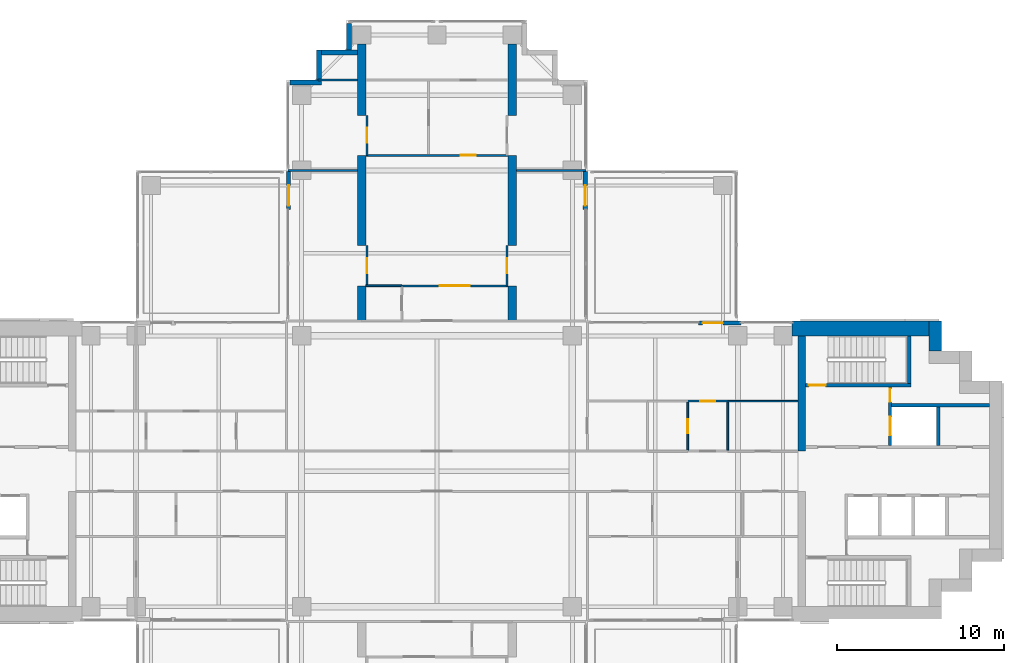
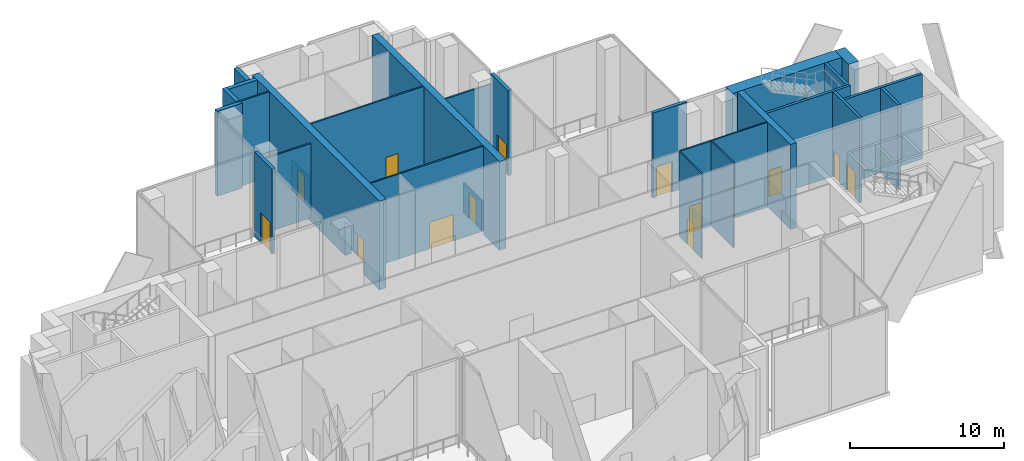
# One storey, part 12 of 17: 30 walls, 13 doors, 13 openings.
"""IFC4 building model written with IfcOpenShell, lengths in metres."""

from ifc_helpers import new_model, si_unit, direction, frame, frame_2d, origin, place, context, subcontext, project, spatial, polyline, rectangle, outline, extrude, material, layer, layer_set, material_profile, profile_set, type_object, element, fill, save


model = new_model("IFC4")

# Units and contexts
model_context = context("Model", 3, precision=1e-05, world=origin(), true_north=direction((0.0, 1.0)))
body_context = subcontext(model_context, "Body", "Model", "MODEL_VIEW")
ifc_project = project(units=[si_unit("LENGTHUNIT", "METRE"), si_unit("AREAUNIT", "SQUARE_METRE"), si_unit("VOLUMEUNIT", "CUBIC_METRE"), si_unit("PLANEANGLEUNIT", "RADIAN"), si_unit("MASSUNIT", "GRAM", prefix="KILO")], contexts=[model_context])

# Site, building, storey
site_placement = place(None, origin())
site = spatial("IfcSite", under=ifc_project, at=site_placement, CompositionType="ELEMENT")
building_placement = place(site_placement, origin())
building = spatial("IfcBuilding", under=site, at=building_placement, Name="Perihelion Cross Residences", CompositionType="ELEMENT")
storey_placement = place(building_placement, frame((0.0, 0.0, 154.89990234375)))
storey = spatial("IfcBuildingStorey", under=building, at=storey_placement, Name="L38", CompositionType="ELEMENT", Elevation=154.89990234375)

# Wall, opening, door
ifc_material_1 = material(Name="Concrete C30/37, bronze-clad", Category="concrete")
ifc_layer_1 = layer(ifc_material_1, 0.25)
ifc_layer_set_1 = layer_set([ifc_layer_1], Name="Bronze-clad pier wall 250")
wall_type_1 = type_object("IfcWallType", Name="Bronze-clad pier wall 250", PredefinedType="SOLIDWALL", material=ifc_layer_set_1)
wall_1_placement = place(storey_placement, frame((18.199951171875, 8.875, 0.0), z_axis=(0.0, 0.0, 1.0), x_axis=(-1.0, 0.0, 0.0)))
wall_1 = element("IfcWall", 1, at=wall_1_placement, inside=storey, type_object=wall_type_1, Name="Wall FW1 L38 east side north bay 2 pier", PredefinedType="SOLIDWALL", context=body_context, shape_type="SweptSolid", body=[
    extrude(rectangle(XDim=2.550048828125, YDim=0.25, at=frame_2d((1.27490234375, 0.0))), origin(), (0.0, 0.0, 1.0), 6.75),
])
opening_1_placement = place(wall_1_placement, frame((1.10009765625, 0.0, 0.0)))
opening_1 = element("IfcOpeningElement", 2, at=opening_1_placement, cuts=wall_1, Name="Opening L38.E01", PredefinedType="OPENING", context=body_context, shape_type="SweptSolid", body=[
    extrude(rectangle(XDim=1.199951171875, YDim=2.39990234375, at=frame_2d((0.60009765625, 1.199951171875))), frame((0.0, 0.135009765625, 0.0), z_axis=(0.0, -1.0, 0.0), x_axis=(1.0, 0.0, 0.0)), (0.0, 0.0, 1.0), 0.27001953125),
])
ifc_material_2 = material(Name="Bronze anodised aluminium, glazed", Category="aluminium")
door_type_1 = type_object("IfcDoorType", Name="Balcony door 1200 x 2400", OperationType="NOTDEFINED", PredefinedType="DOOR", material=ifc_material_2)
door_1_placement = place(opening_1_placement, origin())
door_1 = element("IfcDoor", 3, at=door_1_placement, inside=storey, type_object=door_type_1, Name="Door L38.E01 east side north bay 2", OperationType="SINGLE_SWING_RIGHT", OverallHeight=2.39990234375, OverallWidth=1.199951171875, PredefinedType="DOOR", context=body_context, shape_type="SweptSolid", body=[
    extrude(rectangle(XDim=1.199951171875, YDim=2.39990234375, at=frame_2d((0.60009765625, 1.199951171875))), frame((0.0, 0.02490234375, 0.0), z_axis=(0.0, -1.0, 0.0), x_axis=(1.0, 0.0, 0.0)), (0.0, 0.0, 1.0), 0.050048828125),
])
fill(opening_1, door_1)

wall_2_placement = place(storey_placement, frame((8.875, 15.64990234375, 0.0), z_axis=(0.0, 0.0, 1.0), x_axis=(0.0, 1.0, 0.0)))
wall_2 = element("IfcWall", 4, at=wall_2_placement, inside=storey, type_object=wall_type_1, Name="Wall FW1 L38 north side east bay 1 pier", PredefinedType="SOLIDWALL", context=body_context, shape_type="SweptSolid", body=[
    extrude(rectangle(XDim=2.2900390625, YDim=0.25, at=frame_2d((1.14501953125, 0.0))), origin(), (0.0, 0.0, 1.0), 6.75),
])
opening_2_placement = place(wall_2_placement, frame((0.25, 0.0, 0.0)))
opening_2 = element("IfcOpeningElement", 5, at=opening_2_placement, cuts=wall_2, Name="Opening L38.E02", PredefinedType="OPENING", context=body_context, shape_type="SweptSolid", body=[
    extrude(rectangle(XDim=1.199951171875, YDim=2.39990234375, at=frame_2d((0.60009765625, 1.199951171875))), frame((0.0, 0.135009765625, 0.0), z_axis=(0.0, -1.0, 0.0), x_axis=(1.0, 0.0, 0.0)), (0.0, 0.0, 1.0), 0.27001953125),
])
door_2_placement = place(opening_2_placement, origin())
door_2 = element("IfcDoor", 6, at=door_2_placement, inside=storey, type_object=door_type_1, Name="Door L38.E02 north side east bay 1", OperationType="SINGLE_SWING_LEFT", OverallHeight=2.39990234375, OverallWidth=1.199951171875, PredefinedType="DOOR", context=body_context, shape_type="SweptSolid", body=[
    extrude(rectangle(XDim=1.199951171875, YDim=2.39990234375, at=frame_2d((0.60009765625, 1.199951171875))), frame((0.0, 0.02490234375, 0.0), z_axis=(0.0, -1.0, 0.0), x_axis=(1.0, 0.0, 0.0)), (0.0, 0.0, 1.0), 0.050048828125),
])
fill(opening_2, door_2)

wall_3_placement = place(storey_placement, frame((-8.875, 17.93994140625, 0.0), z_axis=(0.0, 0.0, 1.0), x_axis=(0.0, -1.0, 0.0)))
wall_3 = element("IfcWall", 7, at=wall_3_placement, inside=storey, type_object=wall_type_1, Name="Wall FW1 L38 north side west bay 2 pier", PredefinedType="SOLIDWALL", context=body_context, shape_type="SweptSolid", body=[
    extrude(rectangle(XDim=2.2900390625, YDim=0.25, at=frame_2d((1.14501953125, 0.0))), origin(), (0.0, 0.0, 1.0), 6.75),
])
opening_3_placement = place(wall_3_placement, frame((0.840087890625, 0.0, 0.0)))
opening_3 = element("IfcOpeningElement", 8, at=opening_3_placement, cuts=wall_3, Name="Opening L38.E03", PredefinedType="OPENING", context=body_context, shape_type="SweptSolid", body=[
    extrude(rectangle(XDim=1.199951171875, YDim=2.39990234375, at=frame_2d((0.60009765625, 1.199951171875))), frame((0.0, 0.135009765625, 0.0), z_axis=(0.0, -1.0, 0.0), x_axis=(1.0, 0.0, 0.0)), (0.0, 0.0, 1.0), 0.27001953125),
])
door_3_placement = place(opening_3_placement, origin())
door_3 = element("IfcDoor", 9, at=door_3_placement, inside=storey, type_object=door_type_1, Name="Door L38.E03 north side west bay 2", OperationType="SINGLE_SWING_RIGHT", OverallHeight=2.39990234375, OverallWidth=1.199951171875, PredefinedType="DOOR", context=body_context, shape_type="SweptSolid", body=[
    extrude(rectangle(XDim=1.199951171875, YDim=2.39990234375, at=frame_2d((0.60009765625, 1.199951171875))), frame((0.0, 0.02490234375, 0.0), z_axis=(0.0, -1.0, 0.0), x_axis=(1.0, 0.0, 0.0)), (0.0, 0.0, 1.0), 0.050048828125),
])
fill(opening_3, door_3)

# Walls
ifc_material_3 = material(Name="Concrete C30/37, bronze-clad", Category="concrete")
ifc_layer_2 = layer(ifc_material_3, 0.300048828125)
ifc_layer_set_2 = layer_set([ifc_layer_2], Name="Bronze-clad serration wall 300")
wall_type_2 = type_object("IfcWallType", Name="Bronze-clad serration wall 300", PredefinedType="SOLIDWALL", material=ifc_layer_set_2)
wall_4_placement = place(storey_placement, frame((-5.25, 26.7900390625, 0.0), z_axis=(0.0, 0.0, 1.0), x_axis=(0.0, -1.0, 0.0)))
element("IfcWall", 10, at=wall_4_placement, inside=storey, type_object=wall_type_2, Name="Wall SR1 L38 north corner north-west 1", PredefinedType="SOLIDWALL", context=body_context, shape_type="SweptSolid", body=[
    extrude(rectangle(XDim=1.590087890625, YDim=0.300048828125, at=frame_2d((0.794921875, 0.0))), origin(), (0.0, 0.0, 1.0), 6.75),
])
wall_5_placement = place(storey_placement, frame((-4.75, 25.050048828125, 0.0), z_axis=(0.0, 0.0, 1.0), x_axis=(-1.0, 0.0, 0.0)))
element("IfcWall", 11, at=wall_5_placement, inside=storey, type_object=wall_type_2, Name="Wall SR1 L38 north corner north-west 2", PredefinedType="SOLIDWALL", context=body_context, shape_type="SweptSolid", body=[
    extrude(rectangle(XDim=2.14990234375, YDim=0.300048828125, at=frame_2d((1.074951171875, 0.0))), origin(), (0.0, 0.0, 1.0), 6.75),
])
wall_6_placement = place(storey_placement, frame((-7.050048828125, 25.199951171875, 0.0), z_axis=(0.0, 0.0, 1.0), x_axis=(0.0, -1.0, 0.0)))
element("IfcWall", 12, at=wall_6_placement, inside=storey, type_object=wall_type_2, Name="Wall SR1 L38 north corner north-west 3", PredefinedType="SOLIDWALL", context=body_context, shape_type="SweptSolid", body=[
    extrude(rectangle(XDim=1.800048828125, YDim=0.300048828125, at=frame_2d((0.89990234375, 0.0))), origin(), (0.0, 0.0, 1.0), 6.75),
])
wall_7_placement = place(storey_placement, frame((-6.89990234375, 23.25, 0.0), z_axis=(0.0, 0.0, 1.0), x_axis=(-1.0, 0.0, 0.0)))
element("IfcWall", 13, at=wall_7_placement, inside=storey, type_object=wall_type_2, Name="Wall SR1 L38 north corner north-west 4", PredefinedType="SOLIDWALL", context=body_context, shape_type="SweptSolid", body=[
    extrude(rectangle(XDim=1.89013671875, YDim=0.300048828125, at=frame_2d((0.945068359375, 0.0))), origin(), (0.0, 0.0, 1.0), 6.75),
])
ifc_material_4 = material(Name="Concrete C60/75", Category="concrete")
ifc_layer_3 = layer(ifc_material_4, 0.449951171875)
ifc_layer_set_3 = layer_set([ifc_layer_3], Name="Core wall, inner 450")
wall_type_3 = type_object("IfcWallType", Name="Core wall, inner 450", PredefinedType="SHEAR", material=ifc_layer_set_3)
wall_8_placement = place(storey_placement, frame((21.824951171875, 1.199951171875, 0.0), z_axis=(0.0, 0.0, 1.0), x_axis=(0.0, 1.0, 0.0)))
element("IfcWall", 14, at=wall_8_placement, inside=storey, type_object=wall_type_3, Name="East core core wall, inner", PredefinedType="SHEAR", context=body_context, shape_type="SweptSolid", body=[
    extrude(rectangle(XDim=6.900146484375, YDim=0.449951171875, at=frame_2d((3.4501953125, 0.0))), origin(), (0.0, 0.0, 1.0), 6.75),
])
ifc_material_5 = material(Name="Concrete C60/75", Category="concrete")
ifc_layer_4 = layer(ifc_material_5, 0.75)
ifc_layer_set_4 = layer_set([ifc_layer_4], Name="Core wall, outer 750")
wall_type_4 = type_object("IfcWallType", Name="Core wall, outer 750", PredefinedType="SHEAR", material=ifc_layer_set_4)
wall_9_placement = place(storey_placement, frame((29.824951171875, 7.199951171875, 0.0), z_axis=(0.0, 0.0, 1.0), x_axis=(0.0, 1.0, 0.0)))
element("IfcWall", 15, at=wall_9_placement, inside=storey, type_object=wall_type_4, Name="East core core wall, outer", PredefinedType="SHEAR", context=body_context, shape_type="SweptSolid", body=[
    extrude(rectangle(XDim=1.800048828125, YDim=0.75, at=frame_2d((0.89990234375, 0.0))), origin(), (0.0, 0.0, 1.0), 6.75),
])
ifc_material_6 = material(Name="Concrete C60/75", Category="concrete")
ifc_layer_5 = layer(ifc_material_6, 0.89990234375)
ifc_layer_set_5 = layer_set([ifc_layer_5], Name="Core wall, outer 900")
wall_type_5 = type_object("IfcWallType", Name="Core wall, outer 900", PredefinedType="SHEAR", material=ifc_layer_set_5)
wall_10_placement = place(storey_placement, frame((21.25, 8.550048828125, 0.0), z_axis=(0.0, 0.0, 1.0), x_axis=(1.0, 0.0, 0.0)))
element("IfcWall", 16, at=wall_10_placement, inside=storey, type_object=wall_type_5, Name="East core core wall, outer", PredefinedType="SHEAR", context=body_context, shape_type="SweptSolid", body=[
    extrude(rectangle(XDim=8.199951171875, YDim=0.89990234375, at=frame_2d((4.10009765625, 0.0))), origin(), (0.0, 0.0, 1.0), 6.75),
])

# Wall, opening, door
ifc_material_7 = material(Name="Plasterboard partition")
ifc_layer_6 = layer(ifc_material_7, 0.1201171875)
ifc_layer_set_6 = layer_set([ifc_layer_6], Name="Infill panel 120")
wall_type_6 = type_object("IfcWallType", Name="Infill panel 120", PredefinedType="PARTITIONING", material=ifc_layer_set_6)
wall_11_placement = place(storey_placement, frame((4.18994140625, 11.10009765625, 0.0), z_axis=(0.0, 0.0, 1.0), x_axis=(0.0, 1.0, 0.0)))
wall_11 = element("IfcWall", 17, at=wall_11_placement, inside=storey, type_object=wall_type_6, Name="Partition L38 WI01", PredefinedType="PARTITIONING", context=body_context, shape_type="SweptSolid", body=[
    extrude(rectangle(XDim=2.39990234375, YDim=0.1201171875, at=frame_2d((1.199951171875, 0.0))), origin(), (0.0, 0.0, 1.0), 2.400146484375),
])
opening_4_placement = place(wall_11_placement, frame((0.75, 0.0, 0.0)))
opening_4 = element("IfcOpeningElement", 18, at=opening_4_placement, cuts=wall_11, Name="Opening L38.A34", PredefinedType="OPENING", context=body_context, shape_type="SweptSolid", body=[
    extrude(rectangle(XDim=0.89990234375, YDim=2.10009765625, at=frame_2d((0.449951171875, 1.050048828125))), frame((0.0, 0.070068359375, 0.0), z_axis=(0.0, -1.0, 0.0), x_axis=(1.0, 0.0, 0.0)), (0.0, 0.0, 1.0), 0.14013671875),
])
ifc_material_8 = material(Name="Timber door leaf", Category="wood")
door_type_2 = type_object("IfcDoorType", Name="Interior room door 900 x 2100", OperationType="SINGLE_SWING_LEFT", PredefinedType="DOOR", material=ifc_material_8)
door_4_placement = place(opening_4_placement, origin())
door_4 = element("IfcDoor", 19, at=door_4_placement, inside=storey, type_object=door_type_2, Name="Door L38.A34", OperationType="SINGLE_SWING_RIGHT", OverallHeight=2.10009765625, OverallWidth=0.89990234375, PredefinedType="DOOR", context=body_context, shape_type="SweptSolid", body=[
    extrude(rectangle(XDim=0.89990234375, YDim=2.10009765625, at=frame_2d((0.449951171875, 1.050048828125))), frame((0.0, 0.02490234375, 0.0), z_axis=(0.0, -1.0, 0.0), x_axis=(1.0, 0.0, 0.0)), (0.0, 0.0, 1.0), 0.050048828125),
])
fill(opening_4, door_4)

wall_12_placement = place(storey_placement, frame((-4.18994140625, 11.10009765625, 0.0), z_axis=(0.0, 0.0, 1.0), x_axis=(0.0, 1.0, 0.0)))
wall_12 = element("IfcWall", 20, at=wall_12_placement, inside=storey, type_object=wall_type_6, Name="Partition L38 WI03", PredefinedType="PARTITIONING", context=body_context, shape_type="SweptSolid", body=[
    extrude(rectangle(XDim=2.39990234375, YDim=0.1201171875, at=frame_2d((1.199951171875, 0.0))), origin(), (0.0, 0.0, 1.0), 2.400146484375),
])
opening_5_placement = place(wall_12_placement, frame((0.75, 0.0, 0.0)))
opening_5 = element("IfcOpeningElement", 21, at=opening_5_placement, cuts=wall_12, Name="Opening L38.A36", PredefinedType="OPENING", context=body_context, shape_type="SweptSolid", body=[
    extrude(rectangle(XDim=0.89990234375, YDim=2.10009765625, at=frame_2d((0.449951171875, 1.050048828125))), frame((0.0, 0.070068359375, 0.0), z_axis=(0.0, -1.0, 0.0), x_axis=(1.0, 0.0, 0.0)), (0.0, 0.0, 1.0), 0.14013671875),
])
door_5_placement = place(opening_5_placement, origin())
door_5 = element("IfcDoor", 22, at=door_5_placement, inside=storey, type_object=door_type_2, Name="Door L38.A36", OperationType="SINGLE_SWING_LEFT", OverallHeight=2.10009765625, OverallWidth=0.89990234375, PredefinedType="DOOR", context=body_context, shape_type="SweptSolid", body=[
    extrude(rectangle(XDim=0.89990234375, YDim=2.10009765625, at=frame_2d((0.449951171875, 1.050048828125))), frame((0.0, 0.02490234375, 0.0), z_axis=(0.0, -1.0, 0.0), x_axis=(1.0, 0.0, 0.0)), (0.0, 0.0, 1.0), 0.050048828125),
])
fill(opening_5, door_5)

wall_13_placement = place(storey_placement, frame((-4.18994140625, 18.89990234375, 0.0), z_axis=(0.0, 0.0, 1.0), x_axis=(0.0, 1.0, 0.0)))
wall_13 = element("IfcWall", 23, at=wall_13_placement, inside=storey, type_object=wall_type_6, Name="Partition L38 WI04", PredefinedType="PARTITIONING", context=body_context, shape_type="SweptSolid", body=[
    extrude(rectangle(XDim=2.400146484375, YDim=0.1201171875, at=frame_2d((1.2001953125, 0.0))), origin(), (0.0, 0.0, 1.0), 2.400146484375),
])
opening_6_placement = place(wall_13_placement, frame((0.75, 0.0, 0.0)))
opening_6 = element("IfcOpeningElement", 24, at=opening_6_placement, cuts=wall_13, Name="Opening L38.A37", PredefinedType="OPENING", context=body_context, shape_type="SweptSolid", body=[
    extrude(rectangle(XDim=0.89990234375, YDim=2.10009765625, at=frame_2d((0.449951171875, 1.050048828125))), frame((0.0, 0.070068359375, 0.0), z_axis=(0.0, -1.0, 0.0), x_axis=(1.0, 0.0, 0.0)), (0.0, 0.0, 1.0), 0.14013671875),
])
door_6_placement = place(opening_6_placement, origin())
door_6 = element("IfcDoor", 25, at=door_6_placement, inside=storey, type_object=door_type_2, Name="Door L38.A37", OperationType="SINGLE_SWING_RIGHT", OverallHeight=2.10009765625, OverallWidth=0.89990234375, PredefinedType="DOOR", context=body_context, shape_type="SweptSolid", body=[
    extrude(rectangle(XDim=0.89990234375, YDim=2.10009765625, at=frame_2d((0.449951171875, 1.050048828125))), frame((0.0, 0.02490234375, 0.0), z_axis=(0.0, -1.0, 0.0), x_axis=(1.0, 0.0, 0.0)), (0.0, 0.0, 1.0), 0.050048828125),
])
fill(opening_6, door_6)

ifc_material_9 = material(Name="Plasterboard partition")
ifc_layer_7 = layer(ifc_material_9, 0.1201171875)
ifc_layer_set_7 = layer_set([ifc_layer_7], Name="Partition wall 120")
wall_type_7 = type_object("IfcWallType", Name="Partition wall 120", PredefinedType="PARTITIONING", material=ifc_layer_set_7)
wall_14_placement = place(storey_placement, frame((17.39990234375, 4.199951171875, 0.0), z_axis=(0.0, 0.0, 1.0), x_axis=(-1.0, 0.0, 0.0)))
wall_14 = element("IfcWall", 26, at=wall_14_placement, inside=storey, type_object=wall_type_7, Name="Partition L38 W020", PredefinedType="PARTITIONING", context=body_context, shape_type="SweptSolid", body=[
    extrude(rectangle(XDim=2.39990234375, YDim=0.1201171875, at=frame_2d((1.199951171875, 0.0))), origin(), (0.0, 0.0, 1.0), 6.75),
])
opening_7_placement = place(wall_14_placement, frame((0.75, 0.0, 0.0)))
opening_7 = element("IfcOpeningElement", 27, at=opening_7_placement, cuts=wall_14, Name="Opening L38.A12", PredefinedType="OPENING", context=body_context, shape_type="SweptSolid", body=[
    extrude(rectangle(XDim=0.89990234375, YDim=2.10009765625, at=frame_2d((0.449951171875, 1.050048828125))), frame((0.0, 0.070068359375, 0.0), z_axis=(0.0, -1.0, 0.0), x_axis=(1.0, 0.0, 0.0)), (0.0, 0.0, 1.0), 0.14013671875),
])
door_7_placement = place(opening_7_placement, origin())
door_7 = element("IfcDoor", 28, at=door_7_placement, inside=storey, type_object=door_type_2, Name="Door L38.A12", OperationType="SINGLE_SWING_LEFT", OverallHeight=2.10009765625, OverallWidth=0.89990234375, PredefinedType="DOOR", context=body_context, shape_type="SweptSolid", body=[
    extrude(rectangle(XDim=0.89990234375, YDim=2.10009765625, at=frame_2d((0.449951171875, 1.050048828125))), frame((0.0, 0.02490234375, 0.0), z_axis=(0.0, -1.0, 0.0), x_axis=(1.0, 0.0, 0.0)), (0.0, 0.0, 1.0), 0.050048828125),
])
fill(opening_7, door_7)

wall_15_placement = place(storey_placement, frame((-2.10009765625, 11.10009765625, 0.0), z_axis=(0.0, 0.0, 1.0), x_axis=(1.0, 0.0, 0.0)))
wall_15 = element("IfcWall", 29, at=wall_15_placement, inside=storey, type_object=wall_type_7, Name="Partition L38 W040", PredefinedType="PARTITIONING", context=body_context, shape_type="SweptSolid", body=[
    extrude(rectangle(XDim=6.35009765625, YDim=0.1201171875, at=frame_2d((3.175048828125, 0.0))), origin(), (0.0, 0.0, 1.0), 6.75),
])
opening_8_placement = place(wall_15_placement, frame((2.27490234375, 0.0, 0.0)))
opening_8 = element("IfcOpeningElement", 30, at=opening_8_placement, cuts=wall_15, Name="Opening L38.A25", PredefinedType="OPENING", context=body_context, shape_type="SweptSolid", body=[
    extrude(rectangle(XDim=1.800048828125, YDim=2.10009765625, at=frame_2d((0.89990234375, 1.050048828125))), frame((0.0, 0.070068359375, 0.0), z_axis=(0.0, -1.0, 0.0), x_axis=(1.0, 0.0, 0.0)), (0.0, 0.0, 1.0), 0.14013671875),
])
ifc_material_10 = material(Name="Glazed timber door leaf", Category="wood")
door_type_3 = type_object("IfcDoorType", Name="Interior double leaf door 1800 x 2100", OperationType="DOUBLE_DOOR_SINGLE_SWING", PredefinedType="DOOR", material=ifc_material_10)
door_8_placement = place(opening_8_placement, origin())
door_8 = element("IfcDoor", 31, at=door_8_placement, inside=storey, type_object=door_type_3, Name="Door L38.A25", OperationType="SINGLE_SWING_LEFT", OverallHeight=2.10009765625, OverallWidth=1.800048828125, PredefinedType="DOOR", context=body_context, shape_type="SweptSolid", body=[
    extrude(rectangle(XDim=1.800048828125, YDim=2.10009765625, at=frame_2d((0.89990234375, 1.050048828125))), frame((0.0, 0.02490234375, 0.0), z_axis=(0.0, -1.0, 0.0), x_axis=(1.0, 0.0, 0.0)), (0.0, 0.0, 1.0), 0.050048828125),
])
fill(opening_8, door_8)

wall_16_placement = place(storey_placement, frame((-4.25, 18.89990234375, 0.0), z_axis=(0.0, 0.0, 1.0), x_axis=(1.0, 0.0, 0.0)))
wall_16 = element("IfcWall", 32, at=wall_16_placement, inside=storey, type_object=wall_type_7, Name="Partition L38 W042", PredefinedType="PARTITIONING", context=body_context, shape_type="SweptSolid", body=[
    extrude(rectangle(XDim=8.5, YDim=0.1201171875, at=frame_2d((4.25, 0.0))), origin(), (0.0, 0.0, 1.0), 6.75),
])
opening_9_placement = place(wall_16_placement, frame((5.675048828125, 0.0, 0.0)))
opening_9 = element("IfcOpeningElement", 33, at=opening_9_placement, cuts=wall_16, Name="Opening L38.A26", PredefinedType="OPENING", context=body_context, shape_type="SweptSolid", body=[
    extrude(rectangle(XDim=0.89990234375, YDim=2.10009765625, at=frame_2d((0.449951171875, 1.050048828125))), frame((0.0, 0.070068359375, 0.0), z_axis=(0.0, -1.0, 0.0), x_axis=(1.0, 0.0, 0.0)), (0.0, 0.0, 1.0), 0.14013671875),
])
door_9_placement = place(opening_9_placement, origin())
door_9 = element("IfcDoor", 34, at=door_9_placement, inside=storey, type_object=door_type_2, Name="Door L38.A26", OperationType="SINGLE_SWING_LEFT", OverallHeight=2.10009765625, OverallWidth=0.89990234375, PredefinedType="DOOR", context=body_context, shape_type="SweptSolid", body=[
    extrude(rectangle(XDim=0.89990234375, YDim=2.10009765625, at=frame_2d((0.449951171875, 1.050048828125))), frame((0.0, 0.02490234375, 0.0), z_axis=(0.0, -1.0, 0.0), x_axis=(1.0, 0.0, 0.0)), (0.0, 0.0, 1.0), 0.050048828125),
])
fill(opening_9, door_9)

# Walls
for number, where, z_axis, x_axis, name in (
    (35, (4.75, 18.0, 0.0), (0.0, 0.0, 1.0), (1.0, 0.0, 0.0), "Partition L38 W045"),
    (36, (-8.919921875, 18.0, 0.0), (0.0, 0.0, 1.0), (1.0, 0.0, 0.0), "Partition L38 W047"),
):
    element("IfcWall", number, at=place(storey_placement, frame(where, z_axis=z_axis, x_axis=x_axis)), inside=storey, type_object=wall_type_7, Name=name, PredefinedType="PARTITIONING", context=body_context, shape_type="SweptSolid", body=[
        extrude(rectangle(XDim=4.169921875, YDim=0.1201171875, at=frame_2d((2.0849609375, 0.0))), origin(), (0.0, 0.0, 1.0), 5.9140625),
    ])
wall_17_placement = place(storey_placement, frame((-7.1201171875, 23.39990234375, 0.0), z_axis=(0.0, 0.0, 1.0), x_axis=(1.0, 0.0, 0.0)))
element("IfcWall", 37, at=wall_17_placement, inside=storey, type_object=wall_type_7, Name="Partition L38 W048", PredefinedType="PARTITIONING", context=body_context, shape_type="SweptSolid", body=[
    extrude(rectangle(XDim=2.3701171875, YDim=0.1201171875, at=frame_2d((1.18505859375, 0.0))), origin(), (0.0, 0.0, 1.0), 6.75),
])
ifc_material_11 = material(Name="Concrete C50/60", Category="concrete")
ifc_layer_8 = layer(ifc_material_11, 0.199951171875)
ifc_layer_set_8 = layer_set([ifc_layer_8], Name="Shaft wall 200")
wall_type_8 = type_object("IfcWallType", Name="Shaft wall 200", PredefinedType="SOLIDWALL", material=ifc_layer_set_8)
wall_18_placement = place(storey_placement, frame((27.199951171875, 3.949951171875, 0.0), z_axis=(0.0, 0.0, 1.0), x_axis=(1.0, 0.0, 0.0)))
element("IfcWall", 38, at=wall_18_placement, inside=storey, type_object=wall_type_8, Name="East core shaft wall", PredefinedType="SOLIDWALL", context=body_context, shape_type="SweptSolid", body=[
    extrude(rectangle(XDim=5.85009765625, YDim=0.199951171875, at=frame_2d((2.925048828125, 0.0))), origin(), (0.0, 0.0, 1.0), 6.75),
])

# Wall, openings, doors
wall_19_placement = place(storey_placement, frame((27.10009765625, 1.550048828125, 0.0), z_axis=(0.0, 0.0, 1.0), x_axis=(0.0, 1.0, 0.0)))
wall_19 = element("IfcWall", 39, at=wall_19_placement, inside=storey, type_object=wall_type_8, Name="East core shaft wall", PredefinedType="SOLIDWALL", context=body_context, shape_type="SweptSolid", body=[
    extrude(rectangle(XDim=3.5, YDim=0.199951171875, at=frame_2d((1.75, 0.0))), origin(), (0.0, 0.0, 1.0), 6.75),
])
opening_10_placement = place(wall_19_placement, frame((0.60009765625, 0.0, 0.0)))
opening_10 = element("IfcOpeningElement", 40, at=opening_10_placement, cuts=wall_19, Name="Opening L38.C02", PredefinedType="OPENING", context=body_context, shape_type="SweptSolid", body=[
    extrude(rectangle(XDim=1.10009765625, YDim=2.10009765625, at=frame_2d((0.550048828125, 1.050048828125))), frame((0.0, 0.10986328125, 0.0), z_axis=(0.0, -1.0, 0.0), x_axis=(1.0, 0.0, 0.0)), (0.0, 0.0, 1.0), 0.219970703125),
])
opening_11_placement = place(wall_19_placement, frame((2.60009765625, 0.0, 0.0)))
opening_11 = element("IfcOpeningElement", 41, at=opening_11_placement, cuts=wall_19, Name="Opening L38.C10", PredefinedType="OPENING", context=body_context, shape_type="SweptSolid", body=[
    extrude(rectangle(XDim=0.800048828125, YDim=2.10009765625, at=frame_2d((0.39990234375, 1.050048828125))), frame((0.0, 0.10986328125, 0.0), z_axis=(0.0, -1.0, 0.0), x_axis=(1.0, 0.0, 0.0)), (0.0, 0.0, 1.0), 0.219970703125),
])
ifc_material_12 = material(Name="Stainless steel", Category="steel")
door_type_4 = type_object("IfcDoorType", Name="Landing door, firefighting lift 1100", OperationType="DOUBLE_DOOR_SLIDING", PredefinedType="DOOR", material=ifc_material_12)
door_10_placement = place(opening_10_placement, origin())
door_10 = element("IfcDoor", 42, at=door_10_placement, inside=storey, type_object=door_type_4, Name="Landing door, East core firefighting and service lift", OperationType="DOUBLE_DOOR_SLIDING", OverallHeight=2.10009765625, OverallWidth=1.10009765625, PredefinedType="DOOR", context=body_context, shape_type="SweptSolid", body=[
    extrude(rectangle(XDim=1.10009765625, YDim=2.10009765625, at=frame_2d((0.550048828125, 1.050048828125))), frame((0.0, 0.02490234375, 0.0), z_axis=(0.0, -1.0, 0.0), x_axis=(1.0, 0.0, 0.0)), (0.0, 0.0, 1.0), 0.050048828125),
])
fill(opening_10, door_10)
ifc_material_13 = material(Name="Steel, powder coated", Category="steel")
door_type_5 = type_object("IfcDoorType", Name="Riser door 800", OperationType="SINGLE_SWING_LEFT", PredefinedType="DOOR", material=ifc_material_13)
door_11_placement = place(opening_11_placement, origin())
door_11 = element("IfcDoor", 43, at=door_11_placement, inside=storey, type_object=door_type_5, Name="East core riser door", OperationType="SINGLE_SWING_LEFT", OverallHeight=2.10009765625, OverallWidth=0.800048828125, PredefinedType="DOOR", context=body_context, shape_type="SweptSolid", body=[
    extrude(rectangle(XDim=0.800048828125, YDim=2.10009765625, at=frame_2d((0.39990234375, 1.050048828125))), frame((0.0, 0.02490234375, 0.0), z_axis=(0.0, -1.0, 0.0), x_axis=(1.0, 0.0, 0.0)), (0.0, 0.0, 1.0), 0.050048828125),
])
fill(opening_11, door_11)

# Wall
wall_20_placement = place(storey_placement, frame((30.0, 1.550048828125, 0.0), z_axis=(0.0, 0.0, 1.0), x_axis=(0.0, 1.0, 0.0)))
element("IfcWall", 44, at=wall_20_placement, inside=storey, type_object=wall_type_8, Name="East core shaft wall", PredefinedType="SOLIDWALL", context=body_context, shape_type="SweptSolid", body=[
    extrude(rectangle(XDim=2.300048828125, YDim=0.199951171875, at=frame_2d((1.14990234375, 0.0))), origin(), (0.0, 0.0, 1.0), 6.75),
])

# Wall, opening, door
ifc_material_14 = material(Name="Concrete C50/60", Category="concrete")
ifc_layer_9 = layer(ifc_material_14, 0.199951171875)
ifc_layer_set_9 = layer_set([ifc_layer_9], Name="Stair wall 200")
wall_type_9 = type_object("IfcWallType", Name="Stair wall 200", PredefinedType="SOLIDWALL", material=ifc_layer_set_9)
wall_21_placement = place(storey_placement, frame((22.050048828125, 5.14990234375, 0.0), z_axis=(0.0, 0.0, 1.0), x_axis=(1.0, 0.0, 0.0)))
wall_21 = element("IfcWall", 45, at=wall_21_placement, inside=storey, type_object=wall_type_9, Name="East core stair wall", PredefinedType="SOLIDWALL", context=body_context, shape_type="SweptSolid", body=[
    extrude(rectangle(XDim=6.300048828125, YDim=0.199951171875, at=frame_2d((3.14990234375, 0.0))), origin(), (0.0, 0.0, 1.0), 6.75),
])
opening_12_placement = place(wall_21_placement, frame((0.199951171875, 0.0, 0.0)))
opening_12 = element("IfcOpeningElement", 46, at=opening_12_placement, cuts=wall_21, Name="Opening L38.C06", PredefinedType="OPENING", context=body_context, shape_type="SweptSolid", body=[
    extrude(rectangle(XDim=1.0, YDim=2.10009765625, at=frame_2d((0.5, 1.050048828125))), frame((0.0, 0.10986328125, 0.0), z_axis=(0.0, -1.0, 0.0), x_axis=(1.0, 0.0, 0.0)), (0.0, 0.0, 1.0), 0.219970703125),
])
ifc_material_15 = material(Name="Steel, powder coated", Category="steel")
door_type_6 = type_object("IfcDoorType", Name="Stair door 1000", OperationType="SINGLE_SWING_LEFT", PredefinedType="DOOR", material=ifc_material_15)
door_12_placement = place(opening_12_placement, origin())
door_12 = element("IfcDoor", 47, at=door_12_placement, inside=storey, type_object=door_type_6, Name="East core stair door", OperationType="SINGLE_SWING_LEFT", OverallHeight=2.10009765625, OverallWidth=1.0, PredefinedType="DOOR", context=body_context, shape_type="SweptSolid", body=[
    extrude(rectangle(XDim=1.0, YDim=2.10009765625, at=frame_2d((0.5, 1.050048828125))), frame((0.0, 0.02490234375, 0.0), z_axis=(0.0, -1.0, 0.0), x_axis=(1.0, 0.0, 0.0)), (0.0, 0.0, 1.0), 0.050048828125),
])
fill(opening_12, door_12)

# Walls
wall_22_placement = place(storey_placement, frame((28.25, 5.25, 0.0), z_axis=(0.0, 0.0, 1.0), x_axis=(0.0, 1.0, 0.0)))
element("IfcWall", 48, at=wall_22_placement, inside=storey, type_object=wall_type_9, Name="East core stair wall", PredefinedType="SOLIDWALL", context=body_context, shape_type="SweptSolid", body=[
    extrude(rectangle(XDim=2.85009765625, YDim=0.199951171875, at=frame_2d((1.425048828125, 0.0))), origin(), (0.0, 0.0, 1.0), 6.75),
])
ifc_material_16 = material(Name="Concrete C60/75", Category="concrete")
ifc_material_profile = material_profile(ifc_material_16, outline(polyline([(0.0, 0.0), (2.10009765625, 0.0), (2.10009765625, 2.699951171875), (4.5, 2.699951171875), (4.5, 0.0), (9.89990234375, 0.0), (9.89990234375, 2.699951171875), (12.300048828125, 2.699951171875), (12.300048828125, 0.0), (16.550048828125, 0.0), (16.550048828125, 7.050048828125), (0.0, 7.050048828125), (0.0, 0.0)])), Name="Tip spine wall")
ifc_profile_set = profile_set([ifc_material_profile], Name="Concrete C60/75")
wall_type_10 = type_object("IfcWallType", Name="Tip spine wall 500 with 2 door openings 16550 long 7050 high concrete C60/75", PredefinedType="SHEAR", material=ifc_profile_set)
for number, where, z_axis, x_axis, name in (
    (49, (-4.75, 9.0, -0.2998046875), (1.0, 0.0, 0.0), (0.0, 1.0, 0.0), "Shear wall SW38 L38 north west"),
    (50, (4.25, 9.0, -0.2998046875), (1.0, 0.0, 0.0), (0.0, 1.0, 0.0), "Shear wall SW38 L38 north east"),
):
    element("IfcWall", number, at=place(storey_placement, frame(where, z_axis=z_axis, x_axis=x_axis)), inside=storey, type_object=wall_type_10, Name=name, PredefinedType="SHEAR", context=body_context, shape_type="SweptSolid", body=[
        extrude(outline(polyline([(0.0, 0.0), (2.10009765625, 0.0), (2.10009765625, 2.699951171875), (4.5, 2.699951171875), (4.5, 0.0), (9.89990234375, 0.0), (9.89990234375, 2.699951171875), (12.300048828125, 2.699951171875), (12.300048828125, 0.0), (16.550048828125, 0.0), (16.550048828125, 7.050048828125), (0.0, 7.050048828125), (0.0, 0.0)])), origin(), (0.0, 0.0, 1.0), 0.5),
    ])
ifc_material_17 = material(Name="Plasterboard partition")
ifc_layer_10 = layer(ifc_material_17, 0.10009765625)
ifc_layer_set_10 = layer_set([ifc_layer_10], Name="Wet room wall 100")
wall_type_11 = type_object("IfcWallType", Name="Wet room wall 100", PredefinedType="PARTITIONING", material=ifc_layer_set_10)
wall_23_placement = place(storey_placement, frame((21.60009765625, 4.199951171875, 0.0), z_axis=(0.0, 0.0, 1.0), x_axis=(-1.0, 0.0, 0.0)))
element("IfcWall", 51, at=wall_23_placement, inside=storey, type_object=wall_type_11, Name="Partition L38 W021", PredefinedType="PARTITIONING", context=body_context, shape_type="SweptSolid", body=[
    extrude(rectangle(XDim=4.2001953125, YDim=0.10009765625, at=frame_2d((2.10009765625, 0.0))), origin(), (0.0, 0.0, 1.0), 6.75),
])

# Wall, opening, door
wall_24_placement = place(storey_placement, frame((15.0, 4.139892578125, 0.0), z_axis=(0.0, 0.0, 1.0), x_axis=(0.0, -1.0, 0.0)))
wall_24 = element("IfcWall", 52, at=wall_24_placement, inside=storey, type_object=wall_type_11, Name="Partition L38 W023", PredefinedType="PARTITIONING", context=body_context, shape_type="SweptSolid", body=[
    extrude(rectangle(XDim=2.8798828125, YDim=0.10009765625, at=frame_2d((1.43994140625, 0.0))), origin(), (0.0, 0.0, 1.0), 6.75),
])
opening_13_placement = place(wall_24_placement, frame((1.014892578125, 0.0, 0.0)))
opening_13 = element("IfcOpeningElement", 53, at=opening_13_placement, cuts=wall_24, Name="Opening L38.A20", PredefinedType="OPENING", context=body_context, shape_type="SweptSolid", body=[
    extrude(rectangle(XDim=0.85009765625, YDim=2.10009765625, at=frame_2d((0.425048828125, 1.050048828125))), frame((0.0, 0.06005859375, 0.0), z_axis=(0.0, -1.0, 0.0), x_axis=(1.0, 0.0, 0.0)), (0.0, 0.0, 1.0), 0.1201171875),
])
ifc_material_18 = material(Name="Timber door leaf", Category="wood")
door_type_7 = type_object("IfcDoorType", Name="Interior bathroom door 850 x 2100", OperationType="SINGLE_SWING_LEFT", PredefinedType="DOOR", material=ifc_material_18)
door_13_placement = place(opening_13_placement, origin())
door_13 = element("IfcDoor", 54, at=door_13_placement, inside=storey, type_object=door_type_7, Name="Door L38.A20", OperationType="SINGLE_SWING_RIGHT", OverallHeight=2.10009765625, OverallWidth=0.85009765625, PredefinedType="DOOR", context=body_context, shape_type="SweptSolid", body=[
    extrude(rectangle(XDim=0.85009765625, YDim=2.10009765625, at=frame_2d((0.425048828125, 1.050048828125))), frame((0.0, 0.02490234375, 0.0), z_axis=(0.0, -1.0, 0.0), x_axis=(1.0, 0.0, 0.0)), (0.0, 0.0, 1.0), 0.050048828125),
])
fill(opening_13, door_13)

# Walls
wall_25_placement = place(storey_placement, frame((17.39990234375, 4.139892578125, 0.0), z_axis=(0.0, 0.0, 1.0), x_axis=(0.0, -1.0, 0.0)))
element("IfcWall", 55, at=wall_25_placement, inside=storey, type_object=wall_type_11, Name="Partition L38 W024", PredefinedType="PARTITIONING", context=body_context, shape_type="SweptSolid", body=[
    extrude(rectangle(XDim=2.8798828125, YDim=0.10009765625, at=frame_2d((1.43994140625, 0.0))), origin(), (0.0, 0.0, 1.0), 6.75),
])
wall_26_placement = place(storey_placement, frame((-4.25, 11.10009765625, 0.0), z_axis=(0.0, 0.0, 1.0), x_axis=(1.0, 0.0, 0.0)))
element("IfcWall", 56, at=wall_26_placement, inside=storey, type_object=wall_type_11, Name="Partition L38 W041", PredefinedType="PARTITIONING", context=body_context, shape_type="SweptSolid", body=[
    extrude(rectangle(XDim=2.14990234375, YDim=0.10009765625, at=frame_2d((1.074951171875, 0.0))), origin(), (0.0, 0.0, 1.0), 6.75),
])

save(model, "model.ifc")
